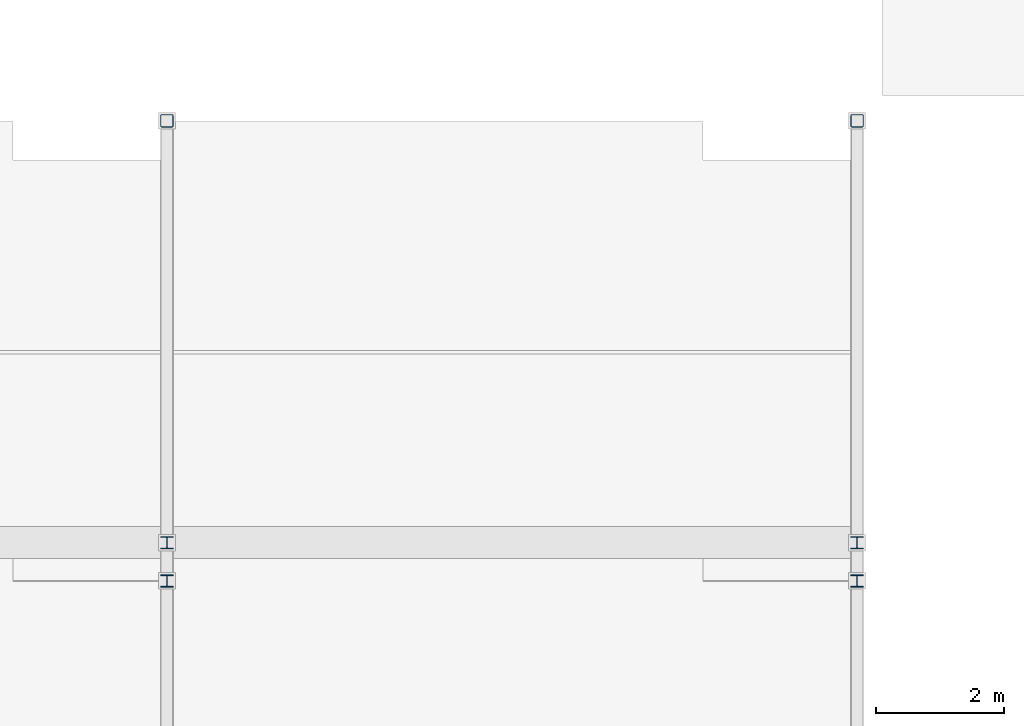
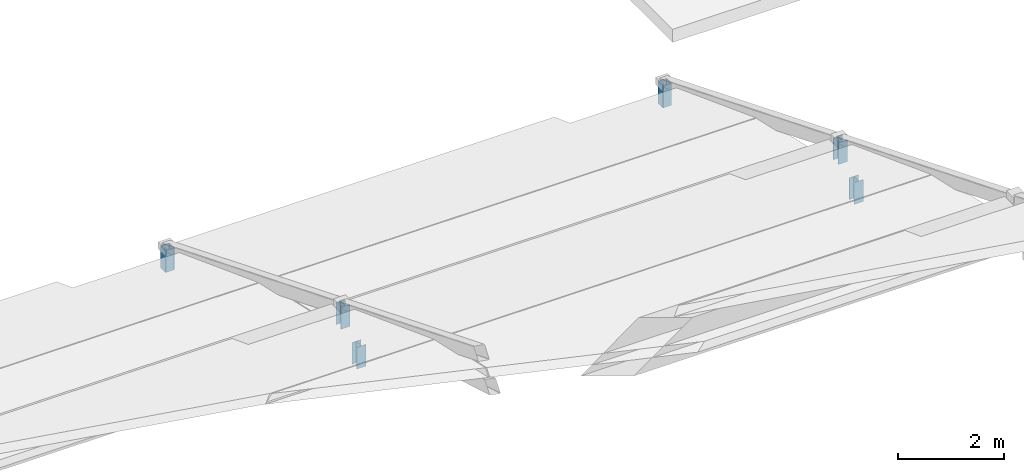
# One storey, part 95 of 112: 6 members.
"""IFC4 building model written with IfcOpenShell, lengths in metres."""

from ifc_helpers import new_model, si_unit, direction, frame, origin, origin_2d, place, context, subcontext, project, spatial, hollow_rectangle, i_section, extrude, material, material_profile, profile_set, type_object, element, save


model = new_model("IFC4")

# Units and contexts
model_context = context("Model", 3, precision=1e-05, world=origin(), true_north=direction((0.0, 1.0)))
body_context = subcontext(model_context, "Body", "Model", "MODEL_VIEW")
ifc_project = project(units=[si_unit("LENGTHUNIT", "METRE"), si_unit("AREAUNIT", "SQUARE_METRE"), si_unit("VOLUMEUNIT", "CUBIC_METRE"), si_unit("PLANEANGLEUNIT", "RADIAN"), si_unit("MASSUNIT", "GRAM", prefix="KILO")], contexts=[model_context])

# Site, building, storey
site_placement = place(None, origin())
site = spatial("IfcSite", under=ifc_project, at=site_placement, CompositionType="ELEMENT")
building_placement = place(site_placement, origin())
building = spatial("IfcBuilding", under=site, at=building_placement, Name="Zwinboog Wholesale Market", CompositionType="ELEMENT")
storey_placement = place(building_placement, frame((0.0, 0.0, 19.080078125)))
storey = spatial("IfcBuildingStorey", under=building, at=storey_placement, Name="Roof", CompositionType="ELEMENT", Elevation=19.080078125)

# Members
ifc_material = material(Name="Steel S355", Category="steel")
ifc_material_profile_1 = material_profile(ifc_material, hollow_rectangle(XDim=0.199951171875, YDim=0.199951171875, WallThickness=0.010009765625, InnerFilletRadius=0.010009765625, OuterFilletRadius=0.02001953125, at=origin_2d()), Name="SHS 200x200x10")
ifc_profile_set_1 = profile_set([ifc_material_profile_1], Name="Steel S355")
member_type_1 = type_object("IfcMemberType", Name="MT-04", PredefinedType="BRACE", material=ifc_profile_set_1)
for number, where, z_axis, x_axis, name in (
    (1, (162.0, 108.0, -10.030029296875), (0.0, 0.0, 1.0), (1.0, 0.0, 0.0), "DB-01 (MEM-Roof-0285)"),
    (2, (172.800048828125, 108.0, -10.030029296875), (0.0, 0.0, 1.0), (1.0, 0.0, 0.0), "DB-01 (MEM-Roof-0315)"),
):
    element("IfcMember", number, at=place(storey_placement, frame(where, z_axis=z_axis, x_axis=x_axis)), inside=storey, type_object=member_type_1, Name=name, PredefinedType="BRACE", context=body_context, shape_type="SweptSolid", body=[
        extrude(hollow_rectangle(XDim=0.199951171875, YDim=0.199951171875, WallThickness=0.010009765625, InnerFilletRadius=0.010009765625, OuterFilletRadius=0.02001953125, at=origin_2d()), origin(), (0.0, 0.0, 1.0), 0.5),
    ])
ifc_material_profile_2 = material_profile(ifc_material, i_section(OverallWidth=0.199951171875, OverallDepth=0.18994140625, WebThickness=0.006591796875, FlangeThickness=0.010009765625, FilletRadius=0.01806640625, at=origin_2d()), Name="HEA 200")
ifc_profile_set_2 = profile_set([ifc_material_profile_2], Name="Steel S355")
member_type_2 = type_object("IfcMemberType", Name="MT-05", PredefinedType="BRACE", material=ifc_profile_set_2)
for number, where, z_axis, x_axis, name in (
    (3, (162.0, 100.800048828125, -7.880126953125), (0.0, 0.0, 1.0), (1.0, 0.0, 0.0), "DB-02 (MEM-Roof-0286)"),
    (4, (162.0, 101.39990234375, -7.330078125), (0.0, 0.0, 1.0), (1.0, 0.0, 0.0), "DB-02 (MEM-Roof-0288)"),
    (5, (172.800048828125, 100.800048828125, -7.880126953125), (0.0, 0.0, 1.0), (1.0, 0.0, 0.0), "DB-02 (MEM-Roof-0316)"),
    (6, (172.800048828125, 101.39990234375, -7.330078125), (0.0, 0.0, 1.0), (1.0, 0.0, 0.0), "DB-02 (MEM-Roof-0318)"),
):
    element("IfcMember", number, at=place(storey_placement, frame(where, z_axis=z_axis, x_axis=x_axis)), inside=storey, type_object=member_type_2, Name=name, PredefinedType="BRACE", context=body_context, shape_type="SweptSolid", body=[
        extrude(i_section(OverallWidth=0.199951171875, OverallDepth=0.18994140625, WebThickness=0.006591796875, FlangeThickness=0.010009765625, FilletRadius=0.01806640625, at=origin_2d()), origin(), (0.0, 0.0, 1.0), 0.5),
    ])

save(model, "model.ifc")
